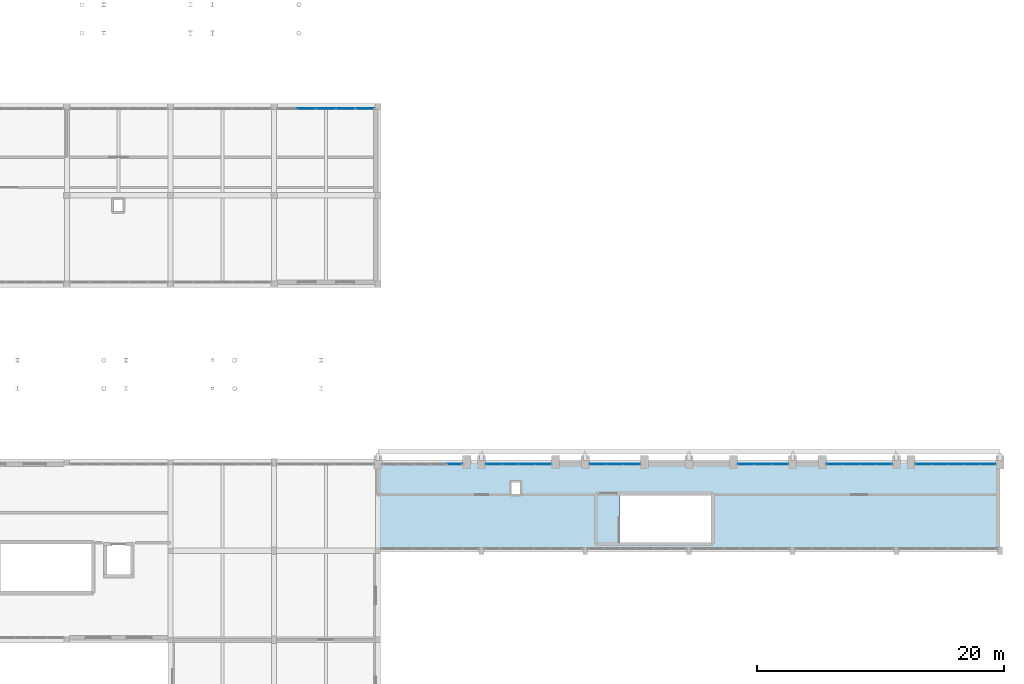
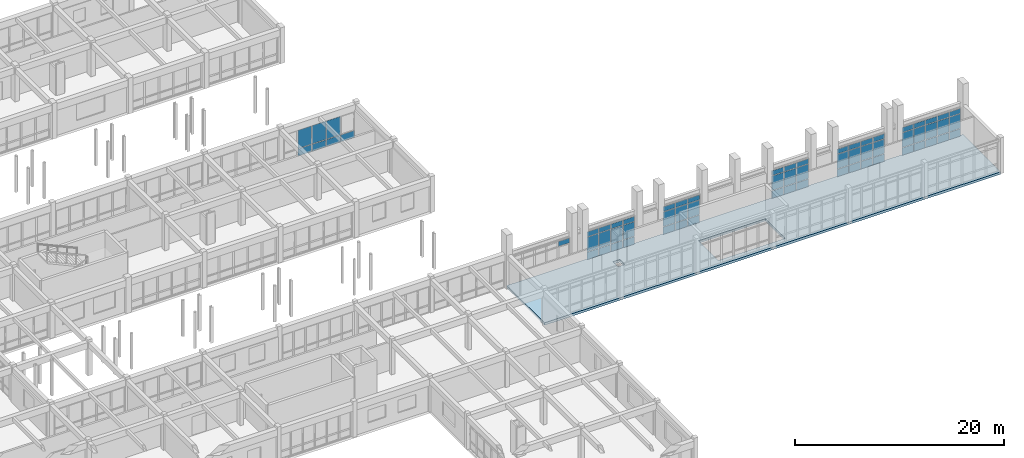
# One storey, part 117 of 147: 65 plates, 1 slab, 7 elements without a shape of their own.
"""IFC4 building model written with IfcOpenShell, lengths in metres."""

from ifc_helpers import new_model, si_unit, direction, frame, origin, origin_2d, place, context, subcontext, project, spatial, polyline, rectangle, outline, extrude, material, layer, layer_set, type_object, element, aggregate, save


model = new_model("IFC4")

# Units and contexts
model_context = context("Model", 3, precision=1e-05, world=origin(), true_north=direction((0.0, 1.0)))
body_context = subcontext(model_context, "Body", "Model", "MODEL_VIEW")
ifc_project = project(units=[si_unit("LENGTHUNIT", "METRE"), si_unit("AREAUNIT", "SQUARE_METRE"), si_unit("VOLUMEUNIT", "CUBIC_METRE"), si_unit("PLANEANGLEUNIT", "RADIAN"), si_unit("MASSUNIT", "GRAM", prefix="KILO")], contexts=[model_context])

# Site, building, storey
site_placement = place(None, origin())
site = spatial("IfcSite", under=ifc_project, at=site_placement, CompositionType="ELEMENT")
building_placement = place(site_placement, origin())
building = spatial("IfcBuilding", under=site, at=building_placement, Name="Malvenik Polytechnic", CompositionType="ELEMENT")
storey_placement = place(building_placement, frame((0.0, 0.0, 5.10009765625)))
storey = spatial("IfcBuildingStorey", under=building, at=storey_placement, Name="L01", CompositionType="ELEMENT", Elevation=5.10009765625)

# Curtain wall, plates
ifc_material_1 = material(Name="Anodised aluminium 6060-T6", Category="aluminium")
curtain_wall_type_1 = type_object("IfcCurtainWallType", Name="ARC-CW-CW-02", PredefinedType="NOTDEFINED", material=ifc_material_1)
curtain_wall_1_placement = place(storey_placement, origin())
curtain_wall_1 = element("IfcCurtainWall", 1, at=curtain_wall_1_placement, inside=storey, type_object=curtain_wall_type_1, Name="Unitised Curtain Wall CW-02 L01 #88", PredefinedType="NOTDEFINED")
ifc_material_2 = material(Name="Insulated low-E double glazing 8-16-8", Category="glass")
ifc_layer_1 = layer(ifc_material_2, 0.028076171875)
ifc_layer_set_1 = layer_set([ifc_layer_1], Name="Insulated low-E double glazing 8-16-8")
plate_type_1 = type_object("IfcPlateType", Name="ARC-CWP-CP-GLZ28", PredefinedType="CURTAIN_PANEL", material=ifc_layer_set_1)
plate_1_placement = place(storey_placement, frame((128.619140625, 64.6298828125, 0.929931640625), z_axis=(0.0, 0.0, 1.0), x_axis=(1.0, 0.0, 0.0)))
plate_1 = element("IfcPlate", 2, at=plate_1_placement, type_object=plate_type_1, Name="CW-02 panel 2.2", PredefinedType="CURTAIN_PANEL", context=body_context, shape_type="SweptSolid", body=[
    extrude(rectangle(XDim=1.520751953125, YDim=0.028076171875, at=origin_2d()), origin(), (0.0, 0.0, 1.0), 2.1201171875),
])
plate_2_placement = place(storey_placement, frame((130.199951171875, 64.6298828125, 0.929931640625), z_axis=(0.0, 0.0, 1.0), x_axis=(1.0, 0.0, 0.0)))
plate_2 = element("IfcPlate", 3, at=plate_2_placement, type_object=plate_type_1, Name="CW-02 panel 3.2", PredefinedType="CURTAIN_PANEL", context=body_context, shape_type="SweptSolid", body=[
    extrude(rectangle(XDim=1.520751953125, YDim=0.028076171875, at=origin_2d()), origin(), (0.0, 0.0, 1.0), 2.1201171875),
])
plate_3_placement = place(storey_placement, frame((131.78076171875, 64.6298828125, 0.929931640625), z_axis=(0.0, 0.0, 1.0), x_axis=(1.0, 0.0, 0.0)))
plate_3 = element("IfcPlate", 4, at=plate_3_placement, type_object=plate_type_1, Name="CW-02 panel 4.2", PredefinedType="CURTAIN_PANEL", context=body_context, shape_type="SweptSolid", body=[
    extrude(rectangle(XDim=1.520751953125, YDim=0.028076171875, at=origin_2d()), origin(), (0.0, 0.0, 1.0), 2.1201171875),
])

# Curtain wall, plate
curtain_wall_type_2 = type_object("IfcCurtainWallType", Name="ARC-CW-CW-05", PredefinedType="NOTDEFINED", material=ifc_material_1)
curtain_wall_2_placement = place(storey_placement, origin())
curtain_wall_2 = element("IfcCurtainWall", 5, at=curtain_wall_2_placement, inside=storey, type_object=curtain_wall_type_2, Name="Unitised Curtain Wall CW-05 L01 #99", PredefinedType="NOTDEFINED")
plate_4_placement = place(storey_placement, frame((140.606689453125, 35.830078125, 2.727783203125), z_axis=(0.0, 0.0, 1.0), x_axis=(1.0, 0.0, 0.0)))
plate_4 = element("IfcPlate", 6, at=plate_4_placement, type_object=plate_type_1, Name="CW-05 panel 5.3", PredefinedType="CURTAIN_PANEL", context=body_context, shape_type="SweptSolid", body=[
    extrude(rectangle(XDim=1.220703125, YDim=0.028076171875, at=origin_2d()), origin(), (0.0, 0.0, 1.0), 0.56005859375),
])
aggregate(curtain_wall_2, [plate_4])

# Curtain wall, plates
curtain_wall_type_3 = type_object("IfcCurtainWallType", Name="ARC-CW-CW-15", PredefinedType="NOTDEFINED", material=ifc_material_1)
curtain_wall_3_placement = place(storey_placement, origin())
curtain_wall_3 = element("IfcCurtainWall", 7, at=curtain_wall_3_placement, inside=storey, type_object=curtain_wall_type_3, Name="Unitised Curtain Wall CW-15 L01 #100", PredefinedType="NOTDEFINED")
plate_5_placement = place(storey_placement, frame((143.80712890625, 35.830078125, 0.97998046875), z_axis=(0.0, 0.0, 1.0), x_axis=(1.0, 0.0, 0.0)))
plate_5 = element("IfcPlate", 8, at=plate_5_placement, type_object=plate_type_1, Name="CW-15 panel 1.2", PredefinedType="CURTAIN_PANEL", context=body_context, shape_type="SweptSolid", body=[
    extrude(rectangle(XDim=1.24853515625, YDim=0.028076171875, at=origin_2d()), origin(), (0.0, 0.0, 1.0), 1.68798828125),
])
plate_6_placement = place(storey_placement, frame((143.80712890625, 35.830078125, 2.727783203125), z_axis=(0.0, 0.0, 1.0), x_axis=(1.0, 0.0, 0.0)))
plate_6 = element("IfcPlate", 9, at=plate_6_placement, type_object=plate_type_1, Name="CW-15 panel 1.3", PredefinedType="CURTAIN_PANEL", context=body_context, shape_type="SweptSolid", body=[
    extrude(rectangle(XDim=1.24853515625, YDim=0.028076171875, at=origin_2d()), origin(), (0.0, 0.0, 1.0), 0.56005859375),
])
plate_7_placement = place(storey_placement, frame((145.130859375, 35.830078125, 0.97998046875), z_axis=(0.0, 0.0, 1.0), x_axis=(1.0, 0.0, 0.0)))
plate_7 = element("IfcPlate", 10, at=plate_7_placement, type_object=plate_type_1, Name="CW-15 panel 2.2", PredefinedType="CURTAIN_PANEL", context=body_context, shape_type="SweptSolid", body=[
    extrude(rectangle(XDim=1.278564453125, YDim=0.028076171875, at=origin_2d()), origin(), (0.0, 0.0, 1.0), 1.68798828125),
])
plate_8_placement = place(storey_placement, frame((145.130859375, 35.830078125, 2.727783203125), z_axis=(0.0, 0.0, 1.0), x_axis=(1.0, 0.0, 0.0)))
plate_8 = element("IfcPlate", 11, at=plate_8_placement, type_object=plate_type_1, Name="CW-15 panel 2.3", PredefinedType="CURTAIN_PANEL", context=body_context, shape_type="SweptSolid", body=[
    extrude(rectangle(XDim=1.278564453125, YDim=0.028076171875, at=origin_2d()), origin(), (0.0, 0.0, 1.0), 0.56005859375),
])
plate_9_placement = place(storey_placement, frame((146.46923828125, 35.830078125, 0.97998046875), z_axis=(0.0, 0.0, 1.0), x_axis=(1.0, 0.0, 0.0)))
plate_9 = element("IfcPlate", 12, at=plate_9_placement, type_object=plate_type_1, Name="CW-15 panel 3.2", PredefinedType="CURTAIN_PANEL", context=body_context, shape_type="SweptSolid", body=[
    extrude(rectangle(XDim=1.278564453125, YDim=0.028076171875, at=origin_2d()), origin(), (0.0, 0.0, 1.0), 1.68798828125),
])
plate_10_placement = place(storey_placement, frame((146.46923828125, 35.830078125, 2.727783203125), z_axis=(0.0, 0.0, 1.0), x_axis=(1.0, 0.0, 0.0)))
plate_10 = element("IfcPlate", 13, at=plate_10_placement, type_object=plate_type_1, Name="CW-15 panel 3.3", PredefinedType="CURTAIN_PANEL", context=body_context, shape_type="SweptSolid", body=[
    extrude(rectangle(XDim=1.278564453125, YDim=0.028076171875, at=origin_2d()), origin(), (0.0, 0.0, 1.0), 0.56005859375),
])
plate_11_placement = place(storey_placement, frame((147.792724609375, 35.830078125, 0.97998046875), z_axis=(0.0, 0.0, 1.0), x_axis=(1.0, 0.0, 0.0)))
plate_11 = element("IfcPlate", 14, at=plate_11_placement, type_object=plate_type_1, Name="CW-15 panel 4.2", PredefinedType="CURTAIN_PANEL", context=body_context, shape_type="SweptSolid", body=[
    extrude(rectangle(XDim=1.24853515625, YDim=0.028076171875, at=origin_2d()), origin(), (0.0, 0.0, 1.0), 1.68798828125),
])
plate_12_placement = place(storey_placement, frame((147.792724609375, 35.830078125, 2.727783203125), z_axis=(0.0, 0.0, 1.0), x_axis=(1.0, 0.0, 0.0)))
plate_12 = element("IfcPlate", 15, at=plate_12_placement, type_object=plate_type_1, Name="CW-15 panel 4.3", PredefinedType="CURTAIN_PANEL", context=body_context, shape_type="SweptSolid", body=[
    extrude(rectangle(XDim=1.24853515625, YDim=0.028076171875, at=origin_2d()), origin(), (0.0, 0.0, 1.0), 0.56005859375),
])

curtain_wall_type_4 = type_object("IfcCurtainWallType", Name="ARC-CW-CW-11", PredefinedType="NOTDEFINED", material=ifc_material_1)
curtain_wall_4_placement = place(storey_placement, origin())
curtain_wall_4 = element("IfcCurtainWall", 16, at=curtain_wall_4_placement, inside=storey, type_object=curtain_wall_type_4, Name="Unitised Curtain Wall CW-11 L01 #101", PredefinedType="NOTDEFINED")
plate_13_placement = place(storey_placement, frame((152.230224609375, 35.830078125, 0.97998046875), z_axis=(0.0, 0.0, 1.0), x_axis=(1.0, 0.0, 0.0)))
plate_13 = element("IfcPlate", 17, at=plate_13_placement, type_object=plate_type_1, Name="CW-11 panel 1.2", PredefinedType="CURTAIN_PANEL", context=body_context, shape_type="SweptSolid", body=[
    extrude(rectangle(XDim=1.294677734375, YDim=0.028076171875, at=origin_2d()), origin(), (0.0, 0.0, 1.0), 1.68798828125),
])
plate_14_placement = place(storey_placement, frame((152.230224609375, 35.830078125, 2.727783203125), z_axis=(0.0, 0.0, 1.0), x_axis=(1.0, 0.0, 0.0)))
plate_14 = element("IfcPlate", 18, at=plate_14_placement, type_object=plate_type_1, Name="CW-11 panel 1.3", PredefinedType="CURTAIN_PANEL", context=body_context, shape_type="SweptSolid", body=[
    extrude(rectangle(XDim=1.294677734375, YDim=0.028076171875, at=origin_2d()), origin(), (0.0, 0.0, 1.0), 0.56005859375),
])
plate_15_placement = place(storey_placement, frame((153.60009765625, 35.830078125, 0.97998046875), z_axis=(0.0, 0.0, 1.0), x_axis=(1.0, 0.0, 0.0)))
plate_15 = element("IfcPlate", 19, at=plate_15_placement, type_object=plate_type_1, Name="CW-11 panel 2.2", PredefinedType="CURTAIN_PANEL", context=body_context, shape_type="SweptSolid", body=[
    extrude(rectangle(XDim=1.32470703125, YDim=0.028076171875, at=origin_2d()), origin(), (0.0, 0.0, 1.0), 1.68798828125),
])
plate_16_placement = place(storey_placement, frame((153.60009765625, 35.830078125, 2.727783203125), z_axis=(0.0, 0.0, 1.0), x_axis=(1.0, 0.0, 0.0)))
plate_16 = element("IfcPlate", 20, at=plate_16_placement, type_object=plate_type_1, Name="CW-11 panel 2.3", PredefinedType="CURTAIN_PANEL", context=body_context, shape_type="SweptSolid", body=[
    extrude(rectangle(XDim=1.32470703125, YDim=0.028076171875, at=origin_2d()), origin(), (0.0, 0.0, 1.0), 0.56005859375),
])
plate_17_placement = place(storey_placement, frame((154.9697265625, 35.830078125, 0.97998046875), z_axis=(0.0, 0.0, 1.0), x_axis=(1.0, 0.0, 0.0)))
plate_17 = element("IfcPlate", 21, at=plate_17_placement, type_object=plate_type_1, Name="CW-11 panel 3.2", PredefinedType="CURTAIN_PANEL", context=body_context, shape_type="SweptSolid", body=[
    extrude(rectangle(XDim=1.294677734375, YDim=0.028076171875, at=origin_2d()), origin(), (0.0, 0.0, 1.0), 1.68798828125),
])
plate_18_placement = place(storey_placement, frame((154.9697265625, 35.830078125, 2.727783203125), z_axis=(0.0, 0.0, 1.0), x_axis=(1.0, 0.0, 0.0)))
plate_18 = element("IfcPlate", 22, at=plate_18_placement, type_object=plate_type_1, Name="CW-11 panel 3.3", PredefinedType="CURTAIN_PANEL", context=body_context, shape_type="SweptSolid", body=[
    extrude(rectangle(XDim=1.294677734375, YDim=0.028076171875, at=origin_2d()), origin(), (0.0, 0.0, 1.0), 0.56005859375),
])

curtain_wall_5_placement = place(storey_placement, origin())
curtain_wall_5 = element("IfcCurtainWall", 23, at=curtain_wall_5_placement, inside=storey, type_object=curtain_wall_type_4, Name="Unitised Curtain Wall CW-11 L01 #102", PredefinedType="NOTDEFINED")
plate_19_placement = place(storey_placement, frame((164.230224609375, 35.830078125, 0.97998046875), z_axis=(0.0, 0.0, 1.0), x_axis=(1.0, 0.0, 0.0)))
plate_19 = element("IfcPlate", 24, at=plate_19_placement, type_object=plate_type_1, Name="CW-11 panel 1.2", PredefinedType="CURTAIN_PANEL", context=body_context, shape_type="SweptSolid", body=[
    extrude(rectangle(XDim=1.294677734375, YDim=0.028076171875, at=origin_2d()), origin(), (0.0, 0.0, 1.0), 1.68798828125),
])
plate_20_placement = place(storey_placement, frame((164.230224609375, 35.830078125, 2.727783203125), z_axis=(0.0, 0.0, 1.0), x_axis=(1.0, 0.0, 0.0)))
plate_20 = element("IfcPlate", 25, at=plate_20_placement, type_object=plate_type_1, Name="CW-11 panel 1.3", PredefinedType="CURTAIN_PANEL", context=body_context, shape_type="SweptSolid", body=[
    extrude(rectangle(XDim=1.294677734375, YDim=0.028076171875, at=origin_2d()), origin(), (0.0, 0.0, 1.0), 0.56005859375),
])
plate_21_placement = place(storey_placement, frame((165.60009765625, 35.830078125, 0.97998046875), z_axis=(0.0, 0.0, 1.0), x_axis=(1.0, 0.0, 0.0)))
plate_21 = element("IfcPlate", 26, at=plate_21_placement, type_object=plate_type_1, Name="CW-11 panel 2.2", PredefinedType="CURTAIN_PANEL", context=body_context, shape_type="SweptSolid", body=[
    extrude(rectangle(XDim=1.32470703125, YDim=0.028076171875, at=origin_2d()), origin(), (0.0, 0.0, 1.0), 1.68798828125),
])
plate_22_placement = place(storey_placement, frame((165.60009765625, 35.830078125, 2.727783203125), z_axis=(0.0, 0.0, 1.0), x_axis=(1.0, 0.0, 0.0)))
plate_22 = element("IfcPlate", 27, at=plate_22_placement, type_object=plate_type_1, Name="CW-11 panel 2.3", PredefinedType="CURTAIN_PANEL", context=body_context, shape_type="SweptSolid", body=[
    extrude(rectangle(XDim=1.32470703125, YDim=0.028076171875, at=origin_2d()), origin(), (0.0, 0.0, 1.0), 0.56005859375),
])
plate_23_placement = place(storey_placement, frame((166.9697265625, 35.830078125, 0.97998046875), z_axis=(0.0, 0.0, 1.0), x_axis=(1.0, 0.0, 0.0)))
plate_23 = element("IfcPlate", 28, at=plate_23_placement, type_object=plate_type_1, Name="CW-11 panel 3.2", PredefinedType="CURTAIN_PANEL", context=body_context, shape_type="SweptSolid", body=[
    extrude(rectangle(XDim=1.294677734375, YDim=0.028076171875, at=origin_2d()), origin(), (0.0, 0.0, 1.0), 1.68798828125),
])
plate_24_placement = place(storey_placement, frame((166.9697265625, 35.830078125, 2.727783203125), z_axis=(0.0, 0.0, 1.0), x_axis=(1.0, 0.0, 0.0)))
plate_24 = element("IfcPlate", 29, at=plate_24_placement, type_object=plate_type_1, Name="CW-11 panel 3.3", PredefinedType="CURTAIN_PANEL", context=body_context, shape_type="SweptSolid", body=[
    extrude(rectangle(XDim=1.294677734375, YDim=0.028076171875, at=origin_2d()), origin(), (0.0, 0.0, 1.0), 0.56005859375),
])

curtain_wall_6_placement = place(storey_placement, origin())
curtain_wall_6 = element("IfcCurtainWall", 30, at=curtain_wall_6_placement, inside=storey, type_object=curtain_wall_type_3, Name="Unitised Curtain Wall CW-15 L01 #103", PredefinedType="NOTDEFINED")
plate_25_placement = place(storey_placement, frame((171.4072265625, 35.830078125, 0.97998046875), z_axis=(0.0, 0.0, 1.0), x_axis=(1.0, 0.0, 0.0)))
plate_25 = element("IfcPlate", 31, at=plate_25_placement, type_object=plate_type_1, Name="CW-15 panel 1.2", PredefinedType="CURTAIN_PANEL", context=body_context, shape_type="SweptSolid", body=[
    extrude(rectangle(XDim=1.24853515625, YDim=0.028076171875, at=origin_2d()), origin(), (0.0, 0.0, 1.0), 1.68798828125),
])
plate_26_placement = place(storey_placement, frame((171.4072265625, 35.830078125, 2.727783203125), z_axis=(0.0, 0.0, 1.0), x_axis=(1.0, 0.0, 0.0)))
plate_26 = element("IfcPlate", 32, at=plate_26_placement, type_object=plate_type_1, Name="CW-15 panel 1.3", PredefinedType="CURTAIN_PANEL", context=body_context, shape_type="SweptSolid", body=[
    extrude(rectangle(XDim=1.24853515625, YDim=0.028076171875, at=origin_2d()), origin(), (0.0, 0.0, 1.0), 0.56005859375),
])
plate_27_placement = place(storey_placement, frame((172.730712890625, 35.830078125, 0.97998046875), z_axis=(0.0, 0.0, 1.0), x_axis=(1.0, 0.0, 0.0)))
plate_27 = element("IfcPlate", 33, at=plate_27_placement, type_object=plate_type_1, Name="CW-15 panel 2.2", PredefinedType="CURTAIN_PANEL", context=body_context, shape_type="SweptSolid", body=[
    extrude(rectangle(XDim=1.278564453125, YDim=0.028076171875, at=origin_2d()), origin(), (0.0, 0.0, 1.0), 1.68798828125),
])
plate_28_placement = place(storey_placement, frame((172.730712890625, 35.830078125, 2.727783203125), z_axis=(0.0, 0.0, 1.0), x_axis=(1.0, 0.0, 0.0)))
plate_28 = element("IfcPlate", 34, at=plate_28_placement, type_object=plate_type_1, Name="CW-15 panel 2.3", PredefinedType="CURTAIN_PANEL", context=body_context, shape_type="SweptSolid", body=[
    extrude(rectangle(XDim=1.278564453125, YDim=0.028076171875, at=origin_2d()), origin(), (0.0, 0.0, 1.0), 0.56005859375),
])
plate_29_placement = place(storey_placement, frame((174.0693359375, 35.830078125, 0.97998046875), z_axis=(0.0, 0.0, 1.0), x_axis=(1.0, 0.0, 0.0)))
plate_29 = element("IfcPlate", 35, at=plate_29_placement, type_object=plate_type_1, Name="CW-15 panel 3.2", PredefinedType="CURTAIN_PANEL", context=body_context, shape_type="SweptSolid", body=[
    extrude(rectangle(XDim=1.278564453125, YDim=0.028076171875, at=origin_2d()), origin(), (0.0, 0.0, 1.0), 1.68798828125),
])
plate_30_placement = place(storey_placement, frame((174.0693359375, 35.830078125, 2.727783203125), z_axis=(0.0, 0.0, 1.0), x_axis=(1.0, 0.0, 0.0)))
plate_30 = element("IfcPlate", 36, at=plate_30_placement, type_object=plate_type_1, Name="CW-15 panel 3.3", PredefinedType="CURTAIN_PANEL", context=body_context, shape_type="SweptSolid", body=[
    extrude(rectangle(XDim=1.278564453125, YDim=0.028076171875, at=origin_2d()), origin(), (0.0, 0.0, 1.0), 0.56005859375),
])
plate_31_placement = place(storey_placement, frame((175.392822265625, 35.830078125, 0.97998046875), z_axis=(0.0, 0.0, 1.0), x_axis=(1.0, 0.0, 0.0)))
plate_31 = element("IfcPlate", 37, at=plate_31_placement, type_object=plate_type_1, Name="CW-15 panel 4.2", PredefinedType="CURTAIN_PANEL", context=body_context, shape_type="SweptSolid", body=[
    extrude(rectangle(XDim=1.24853515625, YDim=0.028076171875, at=origin_2d()), origin(), (0.0, 0.0, 1.0), 1.68798828125),
])
plate_32_placement = place(storey_placement, frame((175.392822265625, 35.830078125, 2.727783203125), z_axis=(0.0, 0.0, 1.0), x_axis=(1.0, 0.0, 0.0)))
plate_32 = element("IfcPlate", 38, at=plate_32_placement, type_object=plate_type_1, Name="CW-15 panel 4.3", PredefinedType="CURTAIN_PANEL", context=body_context, shape_type="SweptSolid", body=[
    extrude(rectangle(XDim=1.24853515625, YDim=0.028076171875, at=origin_2d()), origin(), (0.0, 0.0, 1.0), 0.56005859375),
])

curtain_wall_7_placement = place(storey_placement, origin())
curtain_wall_7 = element("IfcCurtainWall", 39, at=curtain_wall_7_placement, inside=storey, type_object=curtain_wall_type_2, Name="Unitised Curtain Wall CW-05 L01 #104", PredefinedType="NOTDEFINED")
plate_33_placement = place(storey_placement, frame((178.593505859375, 35.830078125, 0.97998046875), z_axis=(0.0, 0.0, 1.0), x_axis=(1.0, 0.0, 0.0)))
plate_33 = element("IfcPlate", 40, at=plate_33_placement, type_object=plate_type_1, Name="CW-05 panel 1.2", PredefinedType="CURTAIN_PANEL", context=body_context, shape_type="SweptSolid", body=[
    extrude(rectangle(XDim=1.220703125, YDim=0.028076171875, at=origin_2d()), origin(), (0.0, 0.0, 1.0), 1.68798828125),
])
plate_34_placement = place(storey_placement, frame((178.593505859375, 35.830078125, 2.727783203125), z_axis=(0.0, 0.0, 1.0), x_axis=(1.0, 0.0, 0.0)))
plate_34 = element("IfcPlate", 41, at=plate_34_placement, type_object=plate_type_1, Name="CW-05 panel 1.3", PredefinedType="CURTAIN_PANEL", context=body_context, shape_type="SweptSolid", body=[
    extrude(rectangle(XDim=1.220703125, YDim=0.028076171875, at=origin_2d()), origin(), (0.0, 0.0, 1.0), 0.56005859375),
])
plate_35_placement = place(storey_placement, frame((179.88916015625, 35.830078125, 0.97998046875), z_axis=(0.0, 0.0, 1.0), x_axis=(1.0, 0.0, 0.0)))
plate_35 = element("IfcPlate", 42, at=plate_35_placement, type_object=plate_type_1, Name="CW-05 panel 2.2", PredefinedType="CURTAIN_PANEL", context=body_context, shape_type="SweptSolid", body=[
    extrude(rectangle(XDim=1.250732421875, YDim=0.028076171875, at=origin_2d()), origin(), (0.0, 0.0, 1.0), 1.68798828125),
])
plate_36_placement = place(storey_placement, frame((179.88916015625, 35.830078125, 2.727783203125), z_axis=(0.0, 0.0, 1.0), x_axis=(1.0, 0.0, 0.0)))
plate_36 = element("IfcPlate", 43, at=plate_36_placement, type_object=plate_type_1, Name="CW-05 panel 2.3", PredefinedType="CURTAIN_PANEL", context=body_context, shape_type="SweptSolid", body=[
    extrude(rectangle(XDim=1.250732421875, YDim=0.028076171875, at=origin_2d()), origin(), (0.0, 0.0, 1.0), 0.56005859375),
])
plate_37_placement = place(storey_placement, frame((181.199951171875, 35.830078125, 0.97998046875), z_axis=(0.0, 0.0, 1.0), x_axis=(1.0, 0.0, 0.0)))
plate_37 = element("IfcPlate", 44, at=plate_37_placement, type_object=plate_type_1, Name="CW-05 panel 3.2", PredefinedType="CURTAIN_PANEL", context=body_context, shape_type="SweptSolid", body=[
    extrude(rectangle(XDim=1.250732421875, YDim=0.028076171875, at=origin_2d()), origin(), (0.0, 0.0, 1.0), 1.68798828125),
])
plate_38_placement = place(storey_placement, frame((181.199951171875, 35.830078125, 2.727783203125), z_axis=(0.0, 0.0, 1.0), x_axis=(1.0, 0.0, 0.0)))
plate_38 = element("IfcPlate", 45, at=plate_38_placement, type_object=plate_type_1, Name="CW-05 panel 3.3", PredefinedType="CURTAIN_PANEL", context=body_context, shape_type="SweptSolid", body=[
    extrude(rectangle(XDim=1.250732421875, YDim=0.028076171875, at=origin_2d()), origin(), (0.0, 0.0, 1.0), 0.56005859375),
])
plate_39_placement = place(storey_placement, frame((182.5107421875, 35.830078125, 0.97998046875), z_axis=(0.0, 0.0, 1.0), x_axis=(1.0, 0.0, 0.0)))
plate_39 = element("IfcPlate", 46, at=plate_39_placement, type_object=plate_type_1, Name="CW-05 panel 4.2", PredefinedType="CURTAIN_PANEL", context=body_context, shape_type="SweptSolid", body=[
    extrude(rectangle(XDim=1.250732421875, YDim=0.028076171875, at=origin_2d()), origin(), (0.0, 0.0, 1.0), 1.68798828125),
])
plate_40_placement = place(storey_placement, frame((182.5107421875, 35.830078125, 2.727783203125), z_axis=(0.0, 0.0, 1.0), x_axis=(1.0, 0.0, 0.0)))
plate_40 = element("IfcPlate", 47, at=plate_40_placement, type_object=plate_type_1, Name="CW-05 panel 4.3", PredefinedType="CURTAIN_PANEL", context=body_context, shape_type="SweptSolid", body=[
    extrude(rectangle(XDim=1.250732421875, YDim=0.028076171875, at=origin_2d()), origin(), (0.0, 0.0, 1.0), 0.56005859375),
])
plate_41_placement = place(storey_placement, frame((183.806640625, 35.830078125, 0.97998046875), z_axis=(0.0, 0.0, 1.0), x_axis=(1.0, 0.0, 0.0)))
plate_41 = element("IfcPlate", 48, at=plate_41_placement, type_object=plate_type_1, Name="CW-05 panel 5.2", PredefinedType="CURTAIN_PANEL", context=body_context, shape_type="SweptSolid", body=[
    extrude(rectangle(XDim=1.220703125, YDim=0.028076171875, at=origin_2d()), origin(), (0.0, 0.0, 1.0), 1.68798828125),
])
plate_42_placement = place(storey_placement, frame((183.806640625, 35.830078125, 2.727783203125), z_axis=(0.0, 0.0, 1.0), x_axis=(1.0, 0.0, 0.0)))
plate_42 = element("IfcPlate", 49, at=plate_42_placement, type_object=plate_type_1, Name="CW-05 panel 5.3", PredefinedType="CURTAIN_PANEL", context=body_context, shape_type="SweptSolid", body=[
    extrude(rectangle(XDim=1.220703125, YDim=0.028076171875, at=origin_2d()), origin(), (0.0, 0.0, 1.0), 0.56005859375),
])

# Plate
ifc_material_3 = material(Name="Insulated aluminium spandrel cassette 42mm", Category="aluminium")
ifc_layer_2 = layer(ifc_material_3, 0.0419921875)
ifc_layer_set_2 = layer_set([ifc_layer_2], Name="Insulated aluminium spandrel cassette 42mm")
plate_type_2 = type_object("IfcPlateType", Name="ARC-CWP-CP-SPN42", PredefinedType="CURTAIN_PANEL", material=ifc_layer_set_2)
plate_43_placement = place(storey_placement, frame((128.619140625, 64.6298828125, 0.059814453125), z_axis=(0.0, 0.0, 1.0), x_axis=(1.0, 0.0, 0.0)))
plate_43 = element("IfcPlate", 50, at=plate_43_placement, type_object=plate_type_2, Name="CW-02 panel 2.1", PredefinedType="CURTAIN_PANEL", context=body_context, shape_type="SweptSolid", body=[
    extrude(rectangle(XDim=1.520751953125, YDim=0.028076171875, at=origin_2d()), origin(), (0.0, 0.0, 1.0), 0.81005859375),
])

plate_44_placement = place(storey_placement, frame((130.199951171875, 64.6298828125, 0.059814453125), z_axis=(0.0, 0.0, 1.0), x_axis=(1.0, 0.0, 0.0)))
plate_44 = element("IfcPlate", 51, at=plate_44_placement, type_object=plate_type_2, Name="CW-02 panel 3.1", PredefinedType="CURTAIN_PANEL", context=body_context, shape_type="SweptSolid", body=[
    extrude(rectangle(XDim=1.520751953125, YDim=0.028076171875, at=origin_2d()), origin(), (0.0, 0.0, 1.0), 0.81005859375),
])

plate_45_placement = place(storey_placement, frame((131.78076171875, 64.6298828125, 0.059814453125), z_axis=(0.0, 0.0, 1.0), x_axis=(1.0, 0.0, 0.0)))
plate_45 = element("IfcPlate", 52, at=plate_45_placement, type_object=plate_type_2, Name="CW-02 panel 4.1", PredefinedType="CURTAIN_PANEL", context=body_context, shape_type="SweptSolid", body=[
    extrude(rectangle(XDim=1.520751953125, YDim=0.028076171875, at=origin_2d()), origin(), (0.0, 0.0, 1.0), 0.81005859375),
])

plate_46_placement = place(storey_placement, frame((133.3466796875, 64.6298828125, 0.059814453125), z_axis=(0.0, 0.0, 1.0), x_axis=(1.0, 0.0, 0.0)))
plate_46 = element("IfcPlate", 53, at=plate_46_placement, type_object=plate_type_2, Name="CW-02 panel 5.1", PredefinedType="CURTAIN_PANEL", context=body_context, shape_type="SweptSolid", body=[
    extrude(rectangle(XDim=1.49072265625, YDim=0.028076171875, at=origin_2d()), origin(), (0.0, 0.0, 1.0), 0.81005859375),
])

aggregate(curtain_wall_1, [plate_43, plate_1, plate_44, plate_2, plate_45, plate_3, plate_46])

plate_47_placement = place(storey_placement, frame((143.80712890625, 35.830078125, 0.06005859375), z_axis=(0.0, 0.0, 1.0), x_axis=(1.0, 0.0, 0.0)))
plate_47 = element("IfcPlate", 54, at=plate_47_placement, type_object=plate_type_2, Name="CW-15 panel 1.1", PredefinedType="CURTAIN_PANEL", context=body_context, shape_type="SweptSolid", body=[
    extrude(rectangle(XDim=1.24853515625, YDim=0.028076171875, at=origin_2d()), origin(), (0.0, 0.0, 1.0), 0.860107421875),
])

plate_48_placement = place(storey_placement, frame((145.130859375, 35.830078125, 0.06005859375), z_axis=(0.0, 0.0, 1.0), x_axis=(1.0, 0.0, 0.0)))
plate_48 = element("IfcPlate", 55, at=plate_48_placement, type_object=plate_type_2, Name="CW-15 panel 2.1", PredefinedType="CURTAIN_PANEL", context=body_context, shape_type="SweptSolid", body=[
    extrude(rectangle(XDim=1.278564453125, YDim=0.028076171875, at=origin_2d()), origin(), (0.0, 0.0, 1.0), 0.860107421875),
])

plate_49_placement = place(storey_placement, frame((146.46923828125, 35.830078125, 0.06005859375), z_axis=(0.0, 0.0, 1.0), x_axis=(1.0, 0.0, 0.0)))
plate_49 = element("IfcPlate", 56, at=plate_49_placement, type_object=plate_type_2, Name="CW-15 panel 3.1", PredefinedType="CURTAIN_PANEL", context=body_context, shape_type="SweptSolid", body=[
    extrude(rectangle(XDim=1.278564453125, YDim=0.028076171875, at=origin_2d()), origin(), (0.0, 0.0, 1.0), 0.860107421875),
])

plate_50_placement = place(storey_placement, frame((147.792724609375, 35.830078125, 0.06005859375), z_axis=(0.0, 0.0, 1.0), x_axis=(1.0, 0.0, 0.0)))
plate_50 = element("IfcPlate", 57, at=plate_50_placement, type_object=plate_type_2, Name="CW-15 panel 4.1", PredefinedType="CURTAIN_PANEL", context=body_context, shape_type="SweptSolid", body=[
    extrude(rectangle(XDim=1.24853515625, YDim=0.028076171875, at=origin_2d()), origin(), (0.0, 0.0, 1.0), 0.860107421875),
])

aggregate(curtain_wall_3, [plate_47, plate_5, plate_6, plate_48, plate_7, plate_8, plate_49, plate_9, plate_10, plate_50, plate_11, plate_12])

plate_51_placement = place(storey_placement, frame((152.230224609375, 35.830078125, 0.06005859375), z_axis=(0.0, 0.0, 1.0), x_axis=(1.0, 0.0, 0.0)))
plate_51 = element("IfcPlate", 58, at=plate_51_placement, type_object=plate_type_2, Name="CW-11 panel 1.1", PredefinedType="CURTAIN_PANEL", context=body_context, shape_type="SweptSolid", body=[
    extrude(rectangle(XDim=1.294677734375, YDim=0.028076171875, at=origin_2d()), origin(), (0.0, 0.0, 1.0), 0.860107421875),
])

plate_52_placement = place(storey_placement, frame((153.60009765625, 35.830078125, 0.06005859375), z_axis=(0.0, 0.0, 1.0), x_axis=(1.0, 0.0, 0.0)))
plate_52 = element("IfcPlate", 59, at=plate_52_placement, type_object=plate_type_2, Name="CW-11 panel 2.1", PredefinedType="CURTAIN_PANEL", context=body_context, shape_type="SweptSolid", body=[
    extrude(rectangle(XDim=1.32470703125, YDim=0.028076171875, at=origin_2d()), origin(), (0.0, 0.0, 1.0), 0.860107421875),
])

plate_53_placement = place(storey_placement, frame((154.9697265625, 35.830078125, 0.06005859375), z_axis=(0.0, 0.0, 1.0), x_axis=(1.0, 0.0, 0.0)))
plate_53 = element("IfcPlate", 60, at=plate_53_placement, type_object=plate_type_2, Name="CW-11 panel 3.1", PredefinedType="CURTAIN_PANEL", context=body_context, shape_type="SweptSolid", body=[
    extrude(rectangle(XDim=1.294677734375, YDim=0.028076171875, at=origin_2d()), origin(), (0.0, 0.0, 1.0), 0.860107421875),
])

aggregate(curtain_wall_4, [plate_51, plate_13, plate_14, plate_52, plate_15, plate_16, plate_53, plate_17, plate_18])

plate_54_placement = place(storey_placement, frame((164.230224609375, 35.830078125, 0.06005859375), z_axis=(0.0, 0.0, 1.0), x_axis=(1.0, 0.0, 0.0)))
plate_54 = element("IfcPlate", 61, at=plate_54_placement, type_object=plate_type_2, Name="CW-11 panel 1.1", PredefinedType="CURTAIN_PANEL", context=body_context, shape_type="SweptSolid", body=[
    extrude(rectangle(XDim=1.294677734375, YDim=0.028076171875, at=origin_2d()), origin(), (0.0, 0.0, 1.0), 0.860107421875),
])

plate_55_placement = place(storey_placement, frame((165.60009765625, 35.830078125, 0.06005859375), z_axis=(0.0, 0.0, 1.0), x_axis=(1.0, 0.0, 0.0)))
plate_55 = element("IfcPlate", 62, at=plate_55_placement, type_object=plate_type_2, Name="CW-11 panel 2.1", PredefinedType="CURTAIN_PANEL", context=body_context, shape_type="SweptSolid", body=[
    extrude(rectangle(XDim=1.32470703125, YDim=0.028076171875, at=origin_2d()), origin(), (0.0, 0.0, 1.0), 0.860107421875),
])

plate_56_placement = place(storey_placement, frame((166.9697265625, 35.830078125, 0.06005859375), z_axis=(0.0, 0.0, 1.0), x_axis=(1.0, 0.0, 0.0)))
plate_56 = element("IfcPlate", 63, at=plate_56_placement, type_object=plate_type_2, Name="CW-11 panel 3.1", PredefinedType="CURTAIN_PANEL", context=body_context, shape_type="SweptSolid", body=[
    extrude(rectangle(XDim=1.294677734375, YDim=0.028076171875, at=origin_2d()), origin(), (0.0, 0.0, 1.0), 0.860107421875),
])

aggregate(curtain_wall_5, [plate_54, plate_19, plate_20, plate_55, plate_21, plate_22, plate_56, plate_23, plate_24])

plate_57_placement = place(storey_placement, frame((171.4072265625, 35.830078125, 0.06005859375), z_axis=(0.0, 0.0, 1.0), x_axis=(1.0, 0.0, 0.0)))
plate_57 = element("IfcPlate", 64, at=plate_57_placement, type_object=plate_type_2, Name="CW-15 panel 1.1", PredefinedType="CURTAIN_PANEL", context=body_context, shape_type="SweptSolid", body=[
    extrude(rectangle(XDim=1.24853515625, YDim=0.028076171875, at=origin_2d()), origin(), (0.0, 0.0, 1.0), 0.860107421875),
])

plate_58_placement = place(storey_placement, frame((172.730712890625, 35.830078125, 0.06005859375), z_axis=(0.0, 0.0, 1.0), x_axis=(1.0, 0.0, 0.0)))
plate_58 = element("IfcPlate", 65, at=plate_58_placement, type_object=plate_type_2, Name="CW-15 panel 2.1", PredefinedType="CURTAIN_PANEL", context=body_context, shape_type="SweptSolid", body=[
    extrude(rectangle(XDim=1.278564453125, YDim=0.028076171875, at=origin_2d()), origin(), (0.0, 0.0, 1.0), 0.860107421875),
])

plate_59_placement = place(storey_placement, frame((174.0693359375, 35.830078125, 0.06005859375), z_axis=(0.0, 0.0, 1.0), x_axis=(1.0, 0.0, 0.0)))
plate_59 = element("IfcPlate", 66, at=plate_59_placement, type_object=plate_type_2, Name="CW-15 panel 3.1", PredefinedType="CURTAIN_PANEL", context=body_context, shape_type="SweptSolid", body=[
    extrude(rectangle(XDim=1.278564453125, YDim=0.028076171875, at=origin_2d()), origin(), (0.0, 0.0, 1.0), 0.860107421875),
])

plate_60_placement = place(storey_placement, frame((175.392822265625, 35.830078125, 0.06005859375), z_axis=(0.0, 0.0, 1.0), x_axis=(1.0, 0.0, 0.0)))
plate_60 = element("IfcPlate", 67, at=plate_60_placement, type_object=plate_type_2, Name="CW-15 panel 4.1", PredefinedType="CURTAIN_PANEL", context=body_context, shape_type="SweptSolid", body=[
    extrude(rectangle(XDim=1.24853515625, YDim=0.028076171875, at=origin_2d()), origin(), (0.0, 0.0, 1.0), 0.860107421875),
])

aggregate(curtain_wall_6, [plate_57, plate_25, plate_26, plate_58, plate_27, plate_28, plate_59, plate_29, plate_30, plate_60, plate_31, plate_32])

plate_61_placement = place(storey_placement, frame((178.593505859375, 35.830078125, 0.06005859375), z_axis=(0.0, 0.0, 1.0), x_axis=(1.0, 0.0, 0.0)))
plate_61 = element("IfcPlate", 68, at=plate_61_placement, type_object=plate_type_2, Name="CW-05 panel 1.1", PredefinedType="CURTAIN_PANEL", context=body_context, shape_type="SweptSolid", body=[
    extrude(rectangle(XDim=1.220703125, YDim=0.028076171875, at=origin_2d()), origin(), (0.0, 0.0, 1.0), 0.860107421875),
])

plate_62_placement = place(storey_placement, frame((179.88916015625, 35.830078125, 0.06005859375), z_axis=(0.0, 0.0, 1.0), x_axis=(1.0, 0.0, 0.0)))
plate_62 = element("IfcPlate", 69, at=plate_62_placement, type_object=plate_type_2, Name="CW-05 panel 2.1", PredefinedType="CURTAIN_PANEL", context=body_context, shape_type="SweptSolid", body=[
    extrude(rectangle(XDim=1.250732421875, YDim=0.028076171875, at=origin_2d()), origin(), (0.0, 0.0, 1.0), 0.860107421875),
])

plate_63_placement = place(storey_placement, frame((181.199951171875, 35.830078125, 0.06005859375), z_axis=(0.0, 0.0, 1.0), x_axis=(1.0, 0.0, 0.0)))
plate_63 = element("IfcPlate", 70, at=plate_63_placement, type_object=plate_type_2, Name="CW-05 panel 3.1", PredefinedType="CURTAIN_PANEL", context=body_context, shape_type="SweptSolid", body=[
    extrude(rectangle(XDim=1.250732421875, YDim=0.028076171875, at=origin_2d()), origin(), (0.0, 0.0, 1.0), 0.860107421875),
])

plate_64_placement = place(storey_placement, frame((182.5107421875, 35.830078125, 0.06005859375), z_axis=(0.0, 0.0, 1.0), x_axis=(1.0, 0.0, 0.0)))
plate_64 = element("IfcPlate", 71, at=plate_64_placement, type_object=plate_type_2, Name="CW-05 panel 4.1", PredefinedType="CURTAIN_PANEL", context=body_context, shape_type="SweptSolid", body=[
    extrude(rectangle(XDim=1.250732421875, YDim=0.028076171875, at=origin_2d()), origin(), (0.0, 0.0, 1.0), 0.860107421875),
])

plate_65_placement = place(storey_placement, frame((183.806640625, 35.830078125, 0.06005859375), z_axis=(0.0, 0.0, 1.0), x_axis=(1.0, 0.0, 0.0)))
plate_65 = element("IfcPlate", 72, at=plate_65_placement, type_object=plate_type_2, Name="CW-05 panel 5.1", PredefinedType="CURTAIN_PANEL", context=body_context, shape_type="SweptSolid", body=[
    extrude(rectangle(XDim=1.220703125, YDim=0.028076171875, at=origin_2d()), origin(), (0.0, 0.0, 1.0), 0.860107421875),
])

aggregate(curtain_wall_7, [plate_61, plate_33, plate_34, plate_62, plate_35, plate_36, plate_63, plate_37, plate_38, plate_64, plate_39, plate_40, plate_65, plate_41, plate_42])

# Slab
ifc_material_4 = material(Name="Concrete C35/45", Category="concrete")
ifc_layer_3 = layer(ifc_material_4, 0.280029296875)
ifc_layer_set_3 = layer_set([ifc_layer_3], Name="Concrete C35/45")
slab_type = type_object("IfcSlabType", Name="STR-SLB-FLR-280", PredefinedType="FLOOR", material=ifc_layer_set_3)
slab_placement = place(storey_placement, frame((0.0, 0.0, -0.280029296875)))
element("IfcSlab", 73, at=slab_placement, inside=storey, type_object=slab_type, Name="Structural Slab L01-V5-S #64", PredefinedType="FLOOR", context=body_context, shape_type="SweptSolid", body=[
    extrude(outline(polyline([(134.419921875, 28.800048828125), (134.419921875, 36.0), (184.800048828125, 36.0), (184.800048828125, 28.800048828125), (134.419921875, 28.800048828125)]), holes=[polyline([(161.39990234375, 29.5), (161.39990234375, 33.300048828125), (154.01806640625, 33.300048828125), (154.01806640625, 29.5), (161.39990234375, 29.5)]), polyline([(145.949951171875, 34.35009765625), (145.199951171875, 34.35009765625), (145.199951171875, 33.39990234375), (145.949951171875, 33.39990234375), (145.949951171875, 34.35009765625)])]), origin(), (0.0, 0.0, 1.0), 0.280029296875),
])

save(model, "model.ifc")
